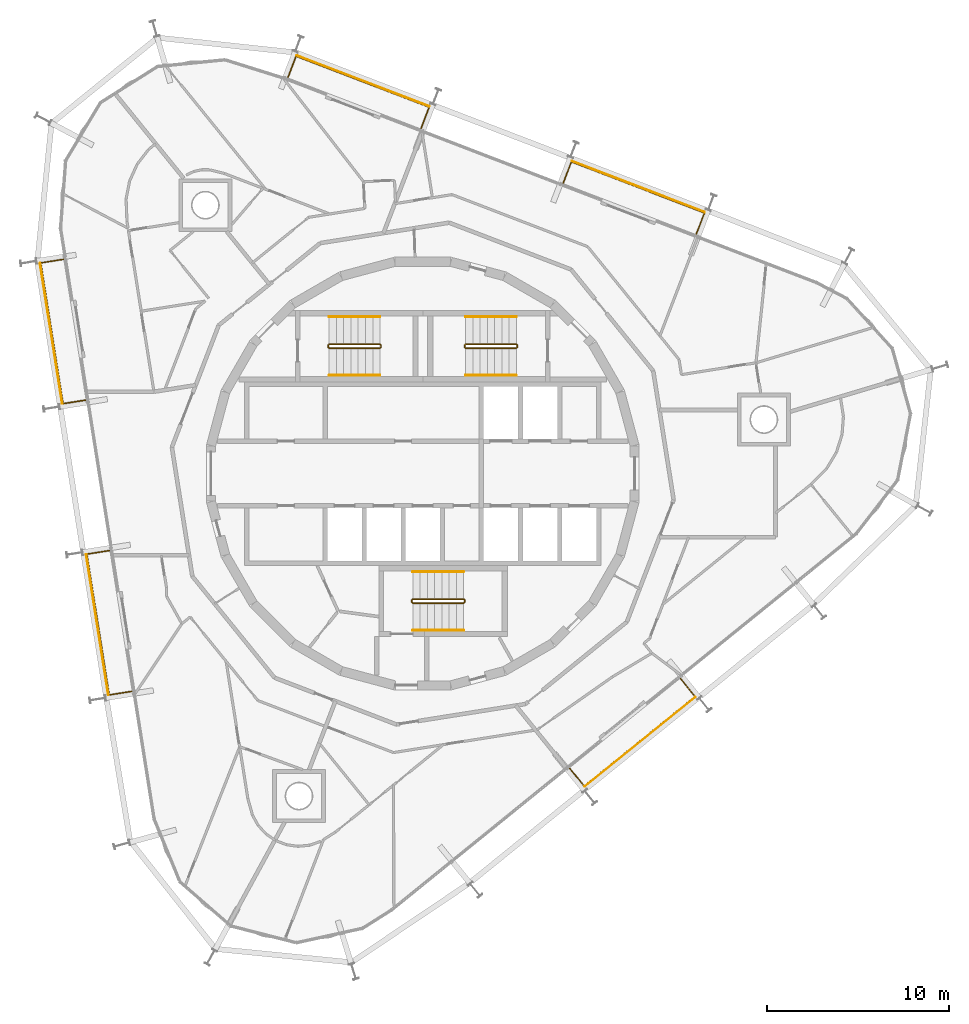
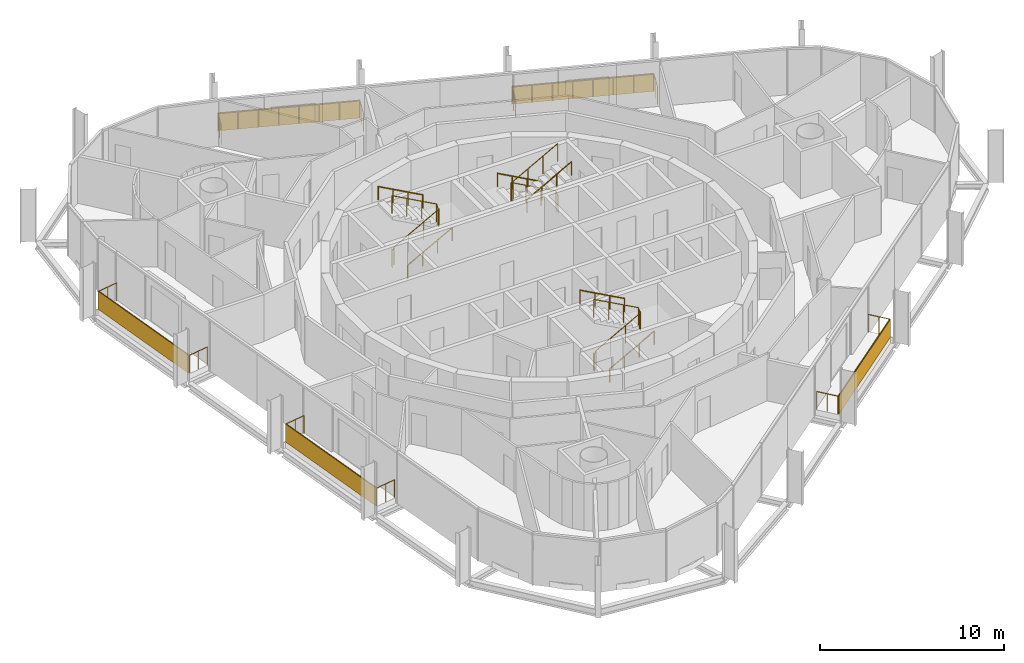
# One storey, part 18 of 18: 14 railings, 5 shading devices.
"""IFC4 building model written with IfcOpenShell, lengths in metres."""

from ifc_helpers import new_model, si_unit, direction, frame, origin, origin_2d, place, context, subcontext, project, spatial, rectangle, circle, extrude, material, layer, layer_set, type_object, element, save


model = new_model("IFC4")

# Units and contexts
model_context = context("Model", 3, precision=1e-05, world=origin(), true_north=direction((0.0, 1.0)))
body_context = subcontext(model_context, "Body", "Model", "MODEL_VIEW")
ifc_project = project(units=[si_unit("LENGTHUNIT", "METRE"), si_unit("AREAUNIT", "SQUARE_METRE"), si_unit("VOLUMEUNIT", "CUBIC_METRE"), si_unit("PLANEANGLEUNIT", "RADIAN"), si_unit("MASSUNIT", "GRAM", prefix="KILO")], contexts=[model_context])

# Site, building, storey
site_placement = place(None, origin())
site = spatial("IfcSite", under=ifc_project, at=site_placement, CompositionType="ELEMENT")
building_placement = place(site_placement, origin())
building = spatial("IfcBuilding", under=site, at=building_placement, Name="Spindle Arch Residences", CompositionType="ELEMENT")
storey_placement = place(building_placement, frame((0.0, 0.0, 280.89990234375)))
storey = spatial("IfcBuildingStorey", under=building, at=storey_placement, Name="L72", CompositionType="ELEMENT", Elevation=280.89990234375)

# Railings
ifc_material_1 = material(Name="Bronze anodised aluminium guard with glass infill", Category="aluminium")
railing_type_1 = type_object("IfcRailingType", Name="Balcony guard 1200", PredefinedType="GUARDRAIL", material=ifc_material_1)
railing_1_placement = place(storey_placement, frame((15.04296875, 13.17041015625, 0.0)))
element("IfcRailing", 1, at=railing_1_placement, inside=storey, type_object=railing_type_1, Name="Guard L72 bay 6", PredefinedType="GUARDRAIL", context=body_context, shape_type="SweptSolid", body=[
    extrude(circle(Radius=0.02392578125, at=origin_2d()), frame((0.0, 0.0, 1.17578125), z_axis=(0.358219824021, 0.933637273077, 0.0), x_axis=(-0.933637273077, 0.358219824021, 0.0)), (0.0, 0.0, 1.0), 1.25),
    extrude(circle(Radius=0.02392578125, at=origin_2d()), frame((0.44775390625, 1.1669921875, 1.17578125), z_axis=(-0.933574226738, 0.358384100054, 0.0), x_axis=(-0.358384100054, -0.933574226738, 0.0)), (0.0, 0.0, 1.0), 7.83740234375),
    extrude(circle(Radius=0.02392578125, at=origin_2d()), frame((-6.869140625, 3.975830078125, 1.17578125), z_axis=(-0.358390063807, -0.933571937327, 0.0), x_axis=(0.933571937327, -0.358390063807, 0.0)), (0.0, 0.0, 1.0), 1.25),
    extrude(circle(Radius=0.02099609375, at=origin_2d()), origin(), (0.0, 0.0, 1.0), 1.15185546875),
    extrude(circle(Radius=0.02099609375, at=origin_2d()), frame((0.223876953125, 0.58349609375, 0.0)), (0.0, 0.0, 1.0), 1.15185546875),
    extrude(circle(Radius=0.02099609375, at=origin_2d()), frame((0.44775390625, 1.1669921875, 0.0)), (0.0, 0.0, 1.0), 1.15185546875),
    extrude(circle(Radius=0.02099609375, at=origin_2d()), frame((-0.597412109375, 1.568359375, 0.0)), (0.0, 0.0, 1.0), 1.15185546875),
    extrude(circle(Radius=0.02099609375, at=origin_2d()), frame((-1.642822265625, 1.969482421875, 0.0)), (0.0, 0.0, 1.0), 1.15185546875),
    extrude(circle(Radius=0.02099609375, at=origin_2d()), frame((-2.68798828125, 2.370849609375, 0.0)), (0.0, 0.0, 1.0), 1.15185546875),
    extrude(circle(Radius=0.02099609375, at=origin_2d()), frame((-3.7333984375, 2.77197265625, 0.0)), (0.0, 0.0, 1.0), 1.15185546875),
    extrude(circle(Radius=0.02099609375, at=origin_2d()), frame((-4.778564453125, 3.17333984375, 0.0)), (0.0, 0.0, 1.0), 1.15185546875),
    extrude(circle(Radius=0.02099609375, at=origin_2d()), frame((-5.823974609375, 3.574462890625, 0.0)), (0.0, 0.0, 1.0), 1.15185546875),
    extrude(circle(Radius=0.02099609375, at=origin_2d()), frame((-6.869140625, 3.975830078125, 0.0)), (0.0, 0.0, 1.0), 1.15185546875),
    extrude(circle(Radius=0.02099609375, at=origin_2d()), frame((-7.09326171875, 3.392333984375, 0.0)), (0.0, 0.0, 1.0), 1.15185546875),
    extrude(circle(Radius=0.02099609375, at=origin_2d()), frame((-7.317138671875, 2.808837890625, 0.0)), (0.0, 0.0, 1.0), 1.15185546875),
])
railing_2_placement = place(storey_placement, frame((-0.09521484375, 18.9814453125, 0.0)))
element("IfcRailing", 2, at=railing_2_placement, inside=storey, type_object=railing_type_1, Name="Guard L72 bay 8", PredefinedType="GUARDRAIL", context=body_context, shape_type="SweptSolid", body=[
    extrude(circle(Radius=0.02392578125, at=origin_2d()), frame((0.0, 0.0, 1.17578125), z_axis=(0.358390063807, 0.933571937327, 0.0), x_axis=(-0.933571937327, 0.358390063807, 0.0)), (0.0, 0.0, 1.0), 1.25),
    extrude(circle(Radius=0.02392578125, at=origin_2d()), frame((0.447998046875, 1.1669921875, 1.17578125), z_axis=(-0.93357822748, 0.358373678128, 0.0), x_axis=(-0.358373678128, -0.93357822748, 0.0)), (0.0, 0.0, 1.0), 7.837646484375),
    extrude(circle(Radius=0.02392578125, at=origin_2d()), frame((-6.869140625, 3.975830078125, 1.17578125), z_axis=(-0.358390063807, -0.933571937327, 0.0), x_axis=(0.933571937327, -0.358390063807, 0.0)), (0.0, 0.0, 1.0), 1.25),
    extrude(circle(Radius=0.02099609375, at=origin_2d()), origin(), (0.0, 0.0, 1.0), 1.15185546875),
    extrude(circle(Radius=0.02099609375, at=origin_2d()), frame((0.22412109375, 0.58349609375, 0.0)), (0.0, 0.0, 1.0), 1.15185546875),
    extrude(circle(Radius=0.02099609375, at=origin_2d()), frame((0.447998046875, 1.1669921875, 0.0)), (0.0, 0.0, 1.0), 1.15185546875),
    extrude(circle(Radius=0.02099609375, at=origin_2d()), frame((-0.597412109375, 1.568359375, 0.0)), (0.0, 0.0, 1.0), 1.15185546875),
    extrude(circle(Radius=0.02099609375, at=origin_2d()), frame((-1.642578125, 1.969482421875, 0.0)), (0.0, 0.0, 1.0), 1.15185546875),
    extrude(circle(Radius=0.02099609375, at=origin_2d()), frame((-2.68798828125, 2.370849609375, 0.0)), (0.0, 0.0, 1.0), 1.15185546875),
    extrude(circle(Radius=0.02099609375, at=origin_2d()), frame((-3.733154296875, 2.77197265625, 0.0)), (0.0, 0.0, 1.0), 1.15185546875),
    extrude(circle(Radius=0.02099609375, at=origin_2d()), frame((-4.778564453125, 3.17333984375, 0.0)), (0.0, 0.0, 1.0), 1.15185546875),
    extrude(circle(Radius=0.02099609375, at=origin_2d()), frame((-5.82373046875, 3.574462890625, 0.0)), (0.0, 0.0, 1.0), 1.15185546875),
    extrude(circle(Radius=0.02099609375, at=origin_2d()), frame((-6.869140625, 3.975830078125, 0.0)), (0.0, 0.0, 1.0), 1.15185546875),
    extrude(circle(Radius=0.02099609375, at=origin_2d()), frame((-7.09326171875, 3.392333984375, 0.0)), (0.0, 0.0, 1.0), 1.15185546875),
    extrude(circle(Radius=0.02099609375, at=origin_2d()), frame((-7.317138671875, 2.808837890625, 0.0)), (0.0, 0.0, 1.0), 1.15185546875),
])
railing_3_placement = place(storey_placement, frame((-19.77294921875, 11.78076171875, 0.0)))
element("IfcRailing", 3, at=railing_3_placement, inside=storey, type_object=railing_type_1, Name="Guard L72 bay 12", PredefinedType="GUARDRAIL", context=body_context, shape_type="SweptSolid", body=[
    extrude(circle(Radius=0.02392578125, at=origin_2d()), frame((0.0, 0.0, 1.17578125), z_axis=(-0.987686835152, -0.156443969736, 0.0), x_axis=(0.156443969736, -0.987686835152, 0.0)), (0.0, 0.0, 1.0), 1.25),
    extrude(circle(Radius=0.02392578125, at=origin_2d()), frame((-1.234619140625, -0.195556640625, 1.17578125), z_axis=(0.156437642141, -0.987687837387, 0.0), x_axis=(0.987687837387, 0.156437642141, 0.0)), (0.0, 0.0, 1.0), 7.83740234375),
    extrude(circle(Radius=0.02392578125, at=origin_2d()), frame((-0.008544921875, -7.9365234375, 1.17578125), z_axis=(0.987686835152, 0.156443969736, 0.0), x_axis=(-0.156443969736, 0.987686835152, 0.0)), (0.0, 0.0, 1.0), 1.25),
    extrude(circle(Radius=0.02099609375, at=origin_2d()), origin(), (0.0, 0.0, 1.0), 1.15185546875),
    extrude(circle(Radius=0.02099609375, at=origin_2d()), frame((-0.6171875, -0.09765625, 0.0)), (0.0, 0.0, 1.0), 1.15185546875),
    extrude(circle(Radius=0.02099609375, at=origin_2d()), frame((-1.234619140625, -0.195556640625, 0.0)), (0.0, 0.0, 1.0), 1.15185546875),
    extrude(circle(Radius=0.02099609375, at=origin_2d()), frame((-1.0595703125, -1.301513671875, 0.0)), (0.0, 0.0, 1.0), 1.15185546875),
    extrude(circle(Radius=0.02099609375, at=origin_2d()), frame((-0.88427734375, -2.4072265625, 0.0)), (0.0, 0.0, 1.0), 1.15185546875),
    extrude(circle(Radius=0.02099609375, at=origin_2d()), frame((-0.709228515625, -3.51318359375, 0.0)), (0.0, 0.0, 1.0), 1.15185546875),
    extrude(circle(Radius=0.02099609375, at=origin_2d()), frame((-0.533935546875, -4.618896484375, 0.0)), (0.0, 0.0, 1.0), 1.15185546875),
    extrude(circle(Radius=0.02099609375, at=origin_2d()), frame((-0.35888671875, -5.724853515625, 0.0)), (0.0, 0.0, 1.0), 1.15185546875),
    extrude(circle(Radius=0.02099609375, at=origin_2d()), frame((-0.18359375, -6.83056640625, 0.0)), (0.0, 0.0, 1.0), 1.15185546875),
    extrude(circle(Radius=0.02099609375, at=origin_2d()), frame((-0.008544921875, -7.9365234375, 0.0)), (0.0, 0.0, 1.0), 1.15185546875),
    extrude(circle(Radius=0.02099609375, at=origin_2d()), frame((0.60888671875, -7.8388671875, 0.0)), (0.0, 0.0, 1.0), 1.15185546875),
    extrude(circle(Radius=0.02099609375, at=origin_2d()), frame((1.22607421875, -7.740966796875, 0.0)), (0.0, 0.0, 1.0), 1.15185546875),
])
railing_4_placement = place(storey_placement, frame((-17.236328125, -4.23486328125, 0.0)))
element("IfcRailing", 4, at=railing_4_placement, inside=storey, type_object=railing_type_1, Name="Guard L72 bay 14", PredefinedType="GUARDRAIL", context=body_context, shape_type="SweptSolid", body=[
    extrude(circle(Radius=0.02392578125, at=origin_2d()), frame((0.0, 0.0, 1.17578125), z_axis=(-0.987686835152, -0.156443969736, 0.0), x_axis=(0.156443969736, -0.987686835152, 0.0)), (0.0, 0.0, 1.0), 1.25),
    extrude(circle(Radius=0.02392578125, at=origin_2d()), frame((-1.234619140625, -0.195556640625, 1.17578125), z_axis=(0.156437642141, -0.987687837387, 0.0), x_axis=(0.987687837387, 0.156437642141, 0.0)), (0.0, 0.0, 1.0), 7.83740234375),
    extrude(circle(Radius=0.02392578125, at=origin_2d()), frame((-0.008544921875, -7.9365234375, 1.17578125), z_axis=(0.987686835152, 0.156443969736, 0.0), x_axis=(-0.156443969736, 0.987686835152, 0.0)), (0.0, 0.0, 1.0), 1.25),
    extrude(circle(Radius=0.02099609375, at=origin_2d()), origin(), (0.0, 0.0, 1.0), 1.15185546875),
    extrude(circle(Radius=0.02099609375, at=origin_2d()), frame((-0.6171875, -0.09765625, 0.0)), (0.0, 0.0, 1.0), 1.15185546875),
    extrude(circle(Radius=0.02099609375, at=origin_2d()), frame((-1.234619140625, -0.195556640625, 0.0)), (0.0, 0.0, 1.0), 1.15185546875),
    extrude(circle(Radius=0.02099609375, at=origin_2d()), frame((-1.0595703125, -1.301513671875, 0.0)), (0.0, 0.0, 1.0), 1.15185546875),
    extrude(circle(Radius=0.02099609375, at=origin_2d()), frame((-0.88427734375, -2.4072265625, 0.0)), (0.0, 0.0, 1.0), 1.15185546875),
    extrude(circle(Radius=0.02099609375, at=origin_2d()), frame((-0.709228515625, -3.51318359375, 0.0)), (0.0, 0.0, 1.0), 1.15185546875),
    extrude(circle(Radius=0.02099609375, at=origin_2d()), frame((-0.533935546875, -4.618896484375, 0.0)), (0.0, 0.0, 1.0), 1.15185546875),
    extrude(circle(Radius=0.02099609375, at=origin_2d()), frame((-0.35888671875, -5.724853515625, 0.0)), (0.0, 0.0, 1.0), 1.15185546875),
    extrude(circle(Radius=0.02099609375, at=origin_2d()), frame((-0.18359375, -6.83056640625, 0.0)), (0.0, 0.0, 1.0), 1.15185546875),
    extrude(circle(Radius=0.02099609375, at=origin_2d()), frame((-0.008544921875, -7.9365234375, 0.0)), (0.0, 0.0, 1.0), 1.15185546875),
    extrude(circle(Radius=0.02099609375, at=origin_2d()), frame((0.60888671875, -7.8388671875, 0.0)), (0.0, 0.0, 1.0), 1.15185546875),
    extrude(circle(Radius=0.02099609375, at=origin_2d()), frame((1.22607421875, -7.740966796875, 0.0)), (0.0, 0.0, 1.0), 1.15185546875),
])
railing_5_placement = place(storey_placement, frame((8.0849609375, -16.211181640625, 0.0)))
element("IfcRailing", 5, at=railing_5_placement, inside=storey, type_object=railing_type_1, Name="Guard L72 bay 20", PredefinedType="GUARDRAIL", context=body_context, shape_type="SweptSolid", body=[
    extrude(circle(Radius=0.02392578125, at=origin_2d()), frame((0.0, 0.0, 1.17578125), z_axis=(0.629422920791, -0.77706292331, 0.0), x_axis=(0.77706292331, 0.629422920791, 0.0)), (0.0, 0.0, 1.0), 1.250244140625),
    extrude(circle(Radius=0.02392578125, at=origin_2d()), frame((0.786865234375, -0.971435546875, 1.17578125), z_axis=(0.777138223033, 0.629329947087, 0.0), x_axis=(-0.629329947087, 0.777138223033, 0.0)), (0.0, 0.0, 1.0), 7.83740234375),
    extrude(circle(Radius=0.02392578125, at=origin_2d()), frame((6.877685546875, 3.9609375, 1.17578125), z_axis=(-0.629304977104, 0.777158443171, 0.0), x_axis=(-0.777158443171, -0.629304977104, 0.0)), (0.0, 0.0, 1.0), 1.25),
    extrude(circle(Radius=0.02099609375, at=origin_2d()), origin(), (0.0, 0.0, 1.0), 1.15185546875),
    extrude(circle(Radius=0.02099609375, at=origin_2d()), frame((0.3935546875, -0.48583984375, 0.0)), (0.0, 0.0, 1.0), 1.15185546875),
    extrude(circle(Radius=0.02099609375, at=origin_2d()), frame((0.786865234375, -0.971435546875, 0.0)), (0.0, 0.0, 1.0), 1.15185546875),
    extrude(circle(Radius=0.02099609375, at=origin_2d()), frame((1.656982421875, -0.266845703125, 0.0)), (0.0, 0.0, 1.0), 1.15185546875),
    extrude(circle(Radius=0.02099609375, at=origin_2d()), frame((2.527099609375, 0.437744140625, 0.0)), (0.0, 0.0, 1.0), 1.15185546875),
    extrude(circle(Radius=0.02099609375, at=origin_2d()), frame((3.397216796875, 1.142333984375, 0.0)), (0.0, 0.0, 1.0), 1.15185546875),
    extrude(circle(Radius=0.02099609375, at=origin_2d()), frame((4.267333984375, 1.84716796875, 0.0)), (0.0, 0.0, 1.0), 1.15185546875),
    extrude(circle(Radius=0.02099609375, at=origin_2d()), frame((5.137451171875, 2.5517578125, 0.0)), (0.0, 0.0, 1.0), 1.15185546875),
    extrude(circle(Radius=0.02099609375, at=origin_2d()), frame((6.007568359375, 3.25634765625, 0.0)), (0.0, 0.0, 1.0), 1.15185546875),
    extrude(circle(Radius=0.02099609375, at=origin_2d()), frame((6.877685546875, 3.9609375, 0.0)), (0.0, 0.0, 1.0), 1.15185546875),
    extrude(circle(Radius=0.02099609375, at=origin_2d()), frame((6.484375, 4.44677734375, 0.0)), (0.0, 0.0, 1.0), 1.15185546875),
    extrude(circle(Radius=0.02099609375, at=origin_2d()), frame((6.091064453125, 4.932373046875, 0.0)), (0.0, 0.0, 1.0), 1.15185546875),
])

# Shading devices
ifc_material_2 = material(Name="Bronze perforated cobogo screen")
ifc_layer = layer(ifc_material_2, 0.0390625)
ifc_layer_set = layer_set([ifc_layer], Name="Cobogo screen 1200")
shading_device_type = type_object("IfcShadingDeviceType", Name="Cobogo screen 1200", PredefinedType="USERDEFINED", material=ifc_layer_set)
for number, where, z_axis, x_axis, name in (
    (6, (11.846923828125, 15.779541015625, 0.0), (0.0, 0.0, 1.0), (-0.933580426497, 0.358367949545, 0.0), "Cobogo screen L72 bay 6"),
    (7, (-3.291259765625, 21.590576171875, 0.0), (0.0, 0.0, 1.0), (-0.933580426497, 0.358367949545, 0.0), "Cobogo screen L72 bay 8"),
    (8, (-20.4345703125, 7.708251953125, 0.0), (0.0, 0.0, 1.0), (0.15643446504, -0.987688340595, 0.0), "Cobogo screen L72 bay 12"),
    (9, (-17.89794921875, -8.30712890625, 0.0), (0.0, 0.0, 1.0), (0.15643446504, -0.987688340595, 0.0), "Cobogo screen L72 bay 14"),
    (10, (11.942626953125, -14.748046875, 0.0), (0.0, 0.0, 1.0), (0.777145961457, 0.62932039105, 0.0), "Cobogo screen L72 bay 20"),
):
    element("IfcShadingDevice", number, at=place(storey_placement, frame(where, z_axis=z_axis, x_axis=x_axis)), inside=storey, type_object=shading_device_type, Name=name, ObjectType="SCREEN", PredefinedType="USERDEFINED", context=body_context, shape_type="SweptSolid", body=[
        extrude(rectangle(XDim=7.837646484375, YDim=0.0390625, at=origin_2d()), origin(), (0.0, 0.0, 1.0), 1.199951171875),
    ])

# Railings
ifc_material_3 = material(Name="Steel, painted", Category="steel")
railing_type_2 = type_object("IfcRailingType", Name="Stair guard 1100", PredefinedType="GUARDRAIL", material=ifc_material_3)
railing_6_placement = place(storey_placement, frame((5.14990234375, 6.89990234375, 3.5)))
element("IfcRailing", 11, at=railing_6_placement, inside=storey, type_object=railing_type_2, Name="L72 ST1 stair guard 1", PredefinedType="GUARDRAIL", context=body_context, shape_type="SweptSolid", body=[
    extrude(circle(Radius=0.02392578125, at=origin_2d()), frame((0.0, 0.0, 1.17578125), z_axis=(-0.877357048833, 0.0, -0.479838106931), x_axis=(0.0, -1.0, 0.0)), (0.0, 0.0, 1.0), 3.191162109375),
    extrude(circle(Radius=0.02392578125, at=origin_2d()), frame((-2.7998046875, 0.0, -0.35546875), z_axis=(-0.217683172539, 0.217683172539, -0.951434744366), x_axis=(-0.707106781187, -0.707106781187, 0.0)), (0.0, 0.0, 1.0), 0.22998046875),
    extrude(circle(Radius=0.02392578125, at=origin_2d()), frame((-2.849853515625, 0.050048828125, -0.57421875), z_axis=(0.0, 1.0, 0.0), x_axis=(-1.0, 0.0, 0.0)), (0.0, 0.0, 1.0), 0.1201171875),
    extrude(circle(Radius=0.02392578125, at=origin_2d()), frame((-2.849853515625, 0.170166015625, -0.57421875), z_axis=(0.707106781187, 0.707106781187, 0.0), x_axis=(-0.707106781187, 0.707106781187, 0.0)), (0.0, 0.0, 1.0), 0.07080078125),
    extrude(circle(Radius=0.02392578125, at=origin_2d()), frame((-2.7998046875, 0.22021484375, -0.57421875), z_axis=(0.877357048833, 0.0, -0.479838106931), x_axis=(0.0, 1.0, 0.0)), (0.0, 0.0, 1.0), 3.191162109375),
    extrude(circle(Radius=0.02392578125, at=origin_2d()), frame((0.0, 0.22021484375, -2.10546875), z_axis=(0.217683172539, -0.217683172539, -0.951434744366), x_axis=(0.707106781187, 0.707106781187, 0.0)), (0.0, 0.0, 1.0), 0.22998046875),
    extrude(circle(Radius=0.02392578125, at=origin_2d()), frame((0.050048828125, 0.170166015625, -2.32421875), z_axis=(0.0, -1.0, 0.0), x_axis=(1.0, 0.0, 0.0)), (0.0, 0.0, 1.0), 0.1201171875),
    extrude(circle(Radius=0.02099609375, at=origin_2d()), origin(), (0.0, 0.0, 1.0), 1.15185546875),
    extrude(circle(Radius=0.02099609375, at=origin_2d()), frame((-0.933349609375, 0.0, -0.510498046875)), (0.0, 0.0, 1.0), 1.15185546875),
    extrude(circle(Radius=0.02099609375, at=origin_2d()), frame((-1.866455078125, 0.0, -1.020751953125)), (0.0, 0.0, 1.0), 1.15185546875),
    extrude(circle(Radius=0.02099609375, at=origin_2d()), frame((-2.7998046875, 0.0, -1.53125)), (0.0, 0.0, 1.0), 1.15185546875),
    extrude(circle(Radius=0.02099609375, at=origin_2d()), frame((-2.849853515625, 0.050048828125, -1.75)), (0.0, 0.0, 1.0), 1.15185546875),
    extrude(circle(Radius=0.02099609375, at=origin_2d()), frame((-2.849853515625, 0.170166015625, -1.75)), (0.0, 0.0, 1.0), 1.15185546875),
    extrude(circle(Radius=0.02099609375, at=origin_2d()), frame((-2.7998046875, 0.22021484375, -1.75)), (0.0, 0.0, 1.0), 1.15185546875),
    extrude(circle(Radius=0.02099609375, at=origin_2d()), frame((-1.866455078125, 0.22021484375, -2.260498046875)), (0.0, 0.0, 1.0), 1.15185546875),
    extrude(circle(Radius=0.02099609375, at=origin_2d()), frame((-0.933349609375, 0.22021484375, -2.770751953125)), (0.0, 0.0, 1.0), 1.15185546875),
    extrude(circle(Radius=0.02099609375, at=origin_2d()), frame((0.0, 0.22021484375, -3.28125)), (0.0, 0.0, 1.0), 1.15185546875),
    extrude(circle(Radius=0.02099609375, at=origin_2d()), frame((0.050048828125, 0.170166015625, -3.5)), (0.0, 0.0, 1.0), 1.15185546875),
    extrude(circle(Radius=0.02099609375, at=origin_2d()), frame((0.050048828125, 0.050048828125, -3.5)), (0.0, 0.0, 1.0), 1.15185546875),
])
railing_7_placement = place(storey_placement, frame((-5.14990234375, 7.1201171875, 3.5)))
element("IfcRailing", 12, at=railing_7_placement, inside=storey, type_object=railing_type_2, Name="L72 ST2 stair guard 1", PredefinedType="GUARDRAIL", context=body_context, shape_type="SweptSolid", body=[
    extrude(circle(Radius=0.02392578125, at=origin_2d()), frame((0.0, 0.0, 1.17578125), z_axis=(0.877357048833, 0.0, -0.479838106931), x_axis=(0.0, 1.0, 0.0)), (0.0, 0.0, 1.0), 3.191162109375),
    extrude(circle(Radius=0.02392578125, at=origin_2d()), frame((2.7998046875, 0.0, -0.35546875), z_axis=(0.217683172539, -0.217683172539, -0.951434744366), x_axis=(0.707106781187, 0.707106781187, 0.0)), (0.0, 0.0, 1.0), 0.22998046875),
    extrude(circle(Radius=0.02392578125, at=origin_2d()), frame((2.849853515625, -0.050048828125, -0.57421875), z_axis=(0.0, -1.0, 0.0), x_axis=(1.0, 0.0, 0.0)), (0.0, 0.0, 1.0), 0.1201171875),
    extrude(circle(Radius=0.02392578125, at=origin_2d()), frame((2.849853515625, -0.170166015625, -0.57421875), z_axis=(-0.707106781187, -0.707106781187, 0.0), x_axis=(0.707106781187, -0.707106781187, 0.0)), (0.0, 0.0, 1.0), 0.07080078125),
    extrude(circle(Radius=0.02392578125, at=origin_2d()), frame((2.7998046875, -0.22021484375, -0.57421875), z_axis=(-0.877357048833, 0.0, -0.479838106931), x_axis=(0.0, -1.0, 0.0)), (0.0, 0.0, 1.0), 3.191162109375),
    extrude(circle(Radius=0.02392578125, at=origin_2d()), frame((0.0, -0.22021484375, -2.10546875), z_axis=(-0.217683172539, 0.217683172539, -0.951434744366), x_axis=(-0.707106781187, -0.707106781187, 0.0)), (0.0, 0.0, 1.0), 0.22998046875),
    extrude(circle(Radius=0.02392578125, at=origin_2d()), frame((-0.050048828125, -0.170166015625, -2.32421875), z_axis=(0.0, 1.0, 0.0), x_axis=(-1.0, 0.0, 0.0)), (0.0, 0.0, 1.0), 0.1201171875),
    extrude(circle(Radius=0.02099609375, at=origin_2d()), origin(), (0.0, 0.0, 1.0), 1.15185546875),
    extrude(circle(Radius=0.02099609375, at=origin_2d()), frame((0.933349609375, 0.0, -0.510498046875)), (0.0, 0.0, 1.0), 1.15185546875),
    extrude(circle(Radius=0.02099609375, at=origin_2d()), frame((1.866455078125, 0.0, -1.020751953125)), (0.0, 0.0, 1.0), 1.15185546875),
    extrude(circle(Radius=0.02099609375, at=origin_2d()), frame((2.7998046875, 0.0, -1.53125)), (0.0, 0.0, 1.0), 1.15185546875),
    extrude(circle(Radius=0.02099609375, at=origin_2d()), frame((2.849853515625, -0.050048828125, -1.75)), (0.0, 0.0, 1.0), 1.15185546875),
    extrude(circle(Radius=0.02099609375, at=origin_2d()), frame((2.849853515625, -0.170166015625, -1.75)), (0.0, 0.0, 1.0), 1.15185546875),
    extrude(circle(Radius=0.02099609375, at=origin_2d()), frame((2.7998046875, -0.22021484375, -1.75)), (0.0, 0.0, 1.0), 1.15185546875),
    extrude(circle(Radius=0.02099609375, at=origin_2d()), frame((1.866455078125, -0.22021484375, -2.260498046875)), (0.0, 0.0, 1.0), 1.15185546875),
    extrude(circle(Radius=0.02099609375, at=origin_2d()), frame((0.933349609375, -0.22021484375, -2.770751953125)), (0.0, 0.0, 1.0), 1.15185546875),
    extrude(circle(Radius=0.02099609375, at=origin_2d()), frame((0.0, -0.22021484375, -3.28125)), (0.0, 0.0, 1.0), 1.15185546875),
    extrude(circle(Radius=0.02099609375, at=origin_2d()), frame((-0.050048828125, -0.170166015625, -3.5)), (0.0, 0.0, 1.0), 1.15185546875),
    extrude(circle(Radius=0.02099609375, at=origin_2d()), frame((-0.050048828125, -0.050048828125, -3.5)), (0.0, 0.0, 1.0), 1.15185546875),
])
railing_8_placement = place(storey_placement, frame((-0.550048828125, -6.89990234375, 3.5)))
element("IfcRailing", 13, at=railing_8_placement, inside=storey, type_object=railing_type_2, Name="L72 ST3 stair guard 1", PredefinedType="GUARDRAIL", context=body_context, shape_type="SweptSolid", body=[
    extrude(circle(Radius=0.02392578125, at=origin_2d()), frame((0.0, 0.0, 1.17578125), z_axis=(0.877374661878, 0.0, -0.479805901063), x_axis=(0.0, 1.0, 0.0)), (0.0, 0.0, 1.0), 3.19140625),
    extrude(circle(Radius=0.02392578125, at=origin_2d()), frame((2.800048828125, 0.0, -0.35546875), z_axis=(0.217683172539, -0.217683172539, -0.951434744366), x_axis=(0.707106781187, 0.707106781187, 0.0)), (0.0, 0.0, 1.0), 0.22998046875),
    extrude(circle(Radius=0.02392578125, at=origin_2d()), frame((2.85009765625, -0.050048828125, -0.57421875), z_axis=(0.0, -1.0, 0.0), x_axis=(1.0, 0.0, 0.0)), (0.0, 0.0, 1.0), 0.1201171875),
    extrude(circle(Radius=0.02392578125, at=origin_2d()), frame((2.85009765625, -0.170166015625, -0.57421875), z_axis=(-0.707106781187, -0.707106781187, 0.0), x_axis=(0.707106781187, -0.707106781187, 0.0)), (0.0, 0.0, 1.0), 0.07080078125),
    extrude(circle(Radius=0.02392578125, at=origin_2d()), frame((2.800048828125, -0.22021484375, -0.57421875), z_axis=(-0.877374661878, 0.0, -0.479805901063), x_axis=(0.0, -1.0, 0.0)), (0.0, 0.0, 1.0), 3.19140625),
    extrude(circle(Radius=0.02392578125, at=origin_2d()), frame((0.0, -0.22021484375, -2.10546875), z_axis=(-0.217683172539, 0.217683172539, -0.951434744366), x_axis=(-0.707106781187, -0.707106781187, 0.0)), (0.0, 0.0, 1.0), 0.22998046875),
    extrude(circle(Radius=0.02392578125, at=origin_2d()), frame((-0.050048828125, -0.170166015625, -2.32421875), z_axis=(0.0, 1.0, 0.0), x_axis=(-1.0, 0.0, 0.0)), (0.0, 0.0, 1.0), 0.1201171875),
    extrude(circle(Radius=0.02099609375, at=origin_2d()), origin(), (0.0, 0.0, 1.0), 1.15185546875),
    extrude(circle(Radius=0.02099609375, at=origin_2d()), frame((0.933349609375, 0.0, -0.510498046875)), (0.0, 0.0, 1.0), 1.15185546875),
    extrude(circle(Radius=0.02099609375, at=origin_2d()), frame((1.86669921875, 0.0, -1.020751953125)), (0.0, 0.0, 1.0), 1.15185546875),
    extrude(circle(Radius=0.02099609375, at=origin_2d()), frame((2.800048828125, 0.0, -1.53125)), (0.0, 0.0, 1.0), 1.15185546875),
    extrude(circle(Radius=0.02099609375, at=origin_2d()), frame((2.85009765625, -0.050048828125, -1.75)), (0.0, 0.0, 1.0), 1.15185546875),
    extrude(circle(Radius=0.02099609375, at=origin_2d()), frame((2.85009765625, -0.170166015625, -1.75)), (0.0, 0.0, 1.0), 1.15185546875),
    extrude(circle(Radius=0.02099609375, at=origin_2d()), frame((2.800048828125, -0.22021484375, -1.75)), (0.0, 0.0, 1.0), 1.15185546875),
    extrude(circle(Radius=0.02099609375, at=origin_2d()), frame((1.86669921875, -0.22021484375, -2.260498046875)), (0.0, 0.0, 1.0), 1.15185546875),
    extrude(circle(Radius=0.02099609375, at=origin_2d()), frame((0.933349609375, -0.22021484375, -2.770751953125)), (0.0, 0.0, 1.0), 1.15185546875),
    extrude(circle(Radius=0.02099609375, at=origin_2d()), frame((0.0, -0.22021484375, -3.28125)), (0.0, 0.0, 1.0), 1.15185546875),
    extrude(circle(Radius=0.02099609375, at=origin_2d()), frame((-0.050048828125, -0.170166015625, -3.5)), (0.0, 0.0, 1.0), 1.15185546875),
    extrude(circle(Radius=0.02099609375, at=origin_2d()), frame((-0.050048828125, -0.050048828125, -3.5)), (0.0, 0.0, 1.0), 1.15185546875),
])
ifc_material_4 = material(Name="Steel, painted", Category="steel")
railing_type_3 = type_object("IfcRailingType", Name="Stair handrail 900", PredefinedType="HANDRAIL", material=ifc_material_4)
railing_9_placement = place(storey_placement, frame((5.14990234375, 8.6201171875, 0.21875)))
element("IfcRailing", 14, at=railing_9_placement, inside=storey, type_object=railing_type_3, Name="L72 ST1 stair handrail 1", PredefinedType="HANDRAIL", context=body_context, shape_type="SweptSolid", body=[
    extrude(circle(Radius=0.02392578125, at=origin_2d()), frame((0.0, 0.0, 0.8759765625), z_axis=(-0.877357048833, 0.0, 0.479838106931), x_axis=(0.0, -1.0, 0.0)), (0.0, 0.0, 1.0), 3.191162109375),
    extrude(circle(Radius=0.02099609375, at=origin_2d()), origin(), (0.0, 0.0, 1.0), 0.851806640625),
    extrude(circle(Radius=0.02099609375, at=origin_2d()), frame((-0.933349609375, 0.0, 0.510498046875)), (0.0, 0.0, 1.0), 0.851806640625),
    extrude(circle(Radius=0.02099609375, at=origin_2d()), frame((-1.866455078125, 0.0, 1.020751953125)), (0.0, 0.0, 1.0), 0.851806640625),
    extrude(circle(Radius=0.02099609375, at=origin_2d()), frame((-2.7998046875, 0.0, 1.53125)), (0.0, 0.0, 1.0), 0.851806640625),
])
for number, where, name in (
    (15, (2.35009765625, 5.39990234375, 1.96875), "L72 ST1 stair handrail 2"),
    (16, (-5.14990234375, 5.39990234375, 0.21875), "L72 ST2 stair handrail 1"),
):
    element("IfcRailing", number, at=place(storey_placement, frame(where)), inside=storey, type_object=railing_type_3, Name=name, PredefinedType="HANDRAIL", context=body_context, shape_type="SweptSolid", body=[
        extrude(circle(Radius=0.02392578125, at=origin_2d()), frame((0.0, 0.0, 0.8759765625), z_axis=(0.877357048833, 0.0, 0.479838106931), x_axis=(0.0, 1.0, 0.0)), (0.0, 0.0, 1.0), 3.191162109375),
        extrude(circle(Radius=0.02099609375, at=origin_2d()), origin(), (0.0, 0.0, 1.0), 0.851806640625),
        extrude(circle(Radius=0.02099609375, at=origin_2d()), frame((0.933349609375, 0.0, 0.510498046875)), (0.0, 0.0, 1.0), 0.851806640625),
        extrude(circle(Radius=0.02099609375, at=origin_2d()), frame((1.866455078125, 0.0, 1.020751953125)), (0.0, 0.0, 1.0), 0.851806640625),
        extrude(circle(Radius=0.02099609375, at=origin_2d()), frame((2.7998046875, 0.0, 1.53125)), (0.0, 0.0, 1.0), 0.851806640625),
    ])
railing_10_placement = place(storey_placement, frame((-2.35009765625, 8.6201171875, 1.96875)))
element("IfcRailing", 17, at=railing_10_placement, inside=storey, type_object=railing_type_3, Name="L72 ST2 stair handrail 2", PredefinedType="HANDRAIL", context=body_context, shape_type="SweptSolid", body=[
    extrude(circle(Radius=0.02392578125, at=origin_2d()), frame((0.0, 0.0, 0.8759765625), z_axis=(-0.877357048833, 0.0, 0.479838106931), x_axis=(0.0, -1.0, 0.0)), (0.0, 0.0, 1.0), 3.191162109375),
    extrude(circle(Radius=0.02099609375, at=origin_2d()), origin(), (0.0, 0.0, 1.0), 0.851806640625),
    extrude(circle(Radius=0.02099609375, at=origin_2d()), frame((-0.933349609375, 0.0, 0.510498046875)), (0.0, 0.0, 1.0), 0.851806640625),
    extrude(circle(Radius=0.02099609375, at=origin_2d()), frame((-1.866455078125, 0.0, 1.020751953125)), (0.0, 0.0, 1.0), 0.851806640625),
    extrude(circle(Radius=0.02099609375, at=origin_2d()), frame((-2.7998046875, 0.0, 1.53125)), (0.0, 0.0, 1.0), 0.851806640625),
])
railing_11_placement = place(storey_placement, frame((-0.550048828125, -8.6201171875, 0.21875)))
element("IfcRailing", 18, at=railing_11_placement, inside=storey, type_object=railing_type_3, Name="L72 ST3 stair handrail 1", PredefinedType="HANDRAIL", context=body_context, shape_type="SweptSolid", body=[
    extrude(circle(Radius=0.02392578125, at=origin_2d()), frame((0.0, 0.0, 0.8759765625), z_axis=(0.877374661878, 0.0, 0.479805901063), x_axis=(0.0, 1.0, 0.0)), (0.0, 0.0, 1.0), 3.19140625),
    extrude(circle(Radius=0.02099609375, at=origin_2d()), origin(), (0.0, 0.0, 1.0), 0.851806640625),
    extrude(circle(Radius=0.02099609375, at=origin_2d()), frame((0.933349609375, 0.0, 0.510498046875)), (0.0, 0.0, 1.0), 0.851806640625),
    extrude(circle(Radius=0.02099609375, at=origin_2d()), frame((1.86669921875, 0.0, 1.020751953125)), (0.0, 0.0, 1.0), 0.851806640625),
    extrude(circle(Radius=0.02099609375, at=origin_2d()), frame((2.800048828125, 0.0, 1.53125)), (0.0, 0.0, 1.0), 0.851806640625),
])
railing_12_placement = place(storey_placement, frame((2.25, -5.39990234375, 1.96875)))
element("IfcRailing", 19, at=railing_12_placement, inside=storey, type_object=railing_type_3, Name="L72 ST3 stair handrail 2", PredefinedType="HANDRAIL", context=body_context, shape_type="SweptSolid", body=[
    extrude(circle(Radius=0.02392578125, at=origin_2d()), frame((0.0, 0.0, 0.8759765625), z_axis=(-0.877374661878, 0.0, 0.479805901063), x_axis=(0.0, -1.0, 0.0)), (0.0, 0.0, 1.0), 3.19140625),
    extrude(circle(Radius=0.02099609375, at=origin_2d()), origin(), (0.0, 0.0, 1.0), 0.851806640625),
    extrude(circle(Radius=0.02099609375, at=origin_2d()), frame((-0.933349609375, 0.0, 0.510498046875)), (0.0, 0.0, 1.0), 0.851806640625),
    extrude(circle(Radius=0.02099609375, at=origin_2d()), frame((-1.86669921875, 0.0, 1.020751953125)), (0.0, 0.0, 1.0), 0.851806640625),
    extrude(circle(Radius=0.02099609375, at=origin_2d()), frame((-2.800048828125, 0.0, 1.53125)), (0.0, 0.0, 1.0), 0.851806640625),
])

save(model, "model.ifc")
